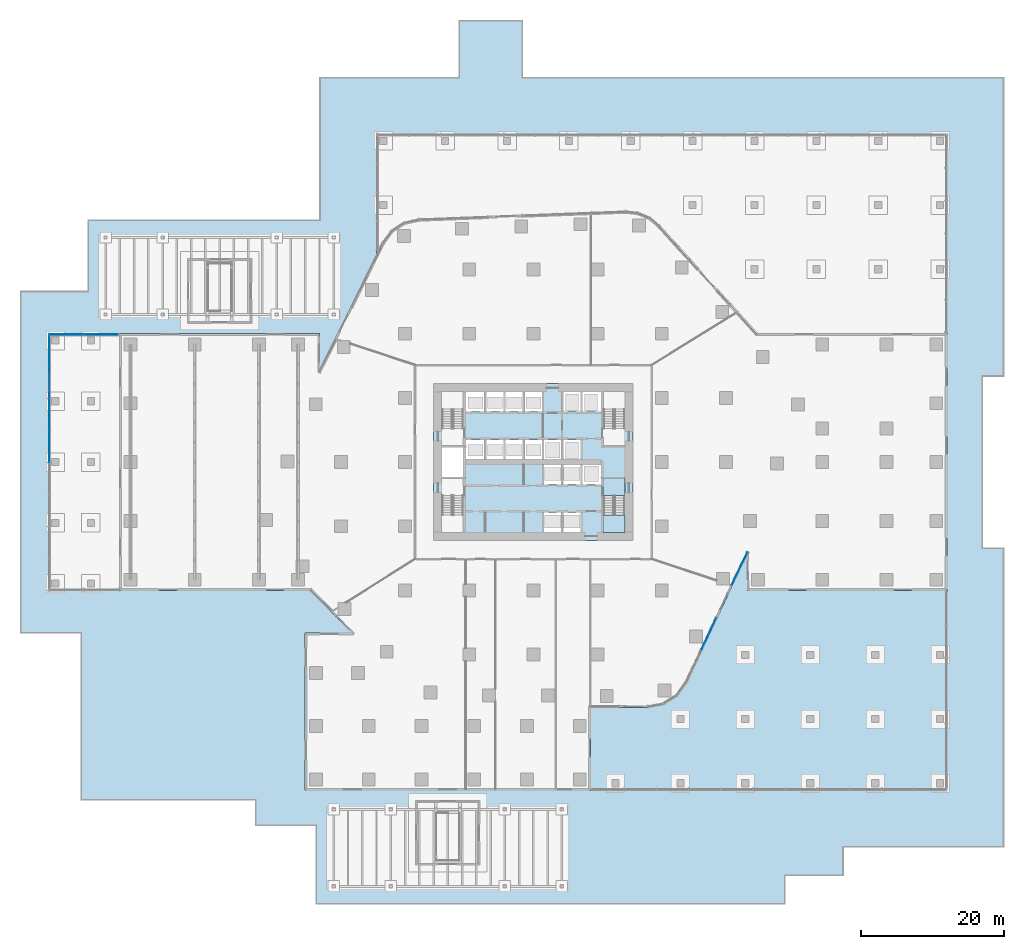
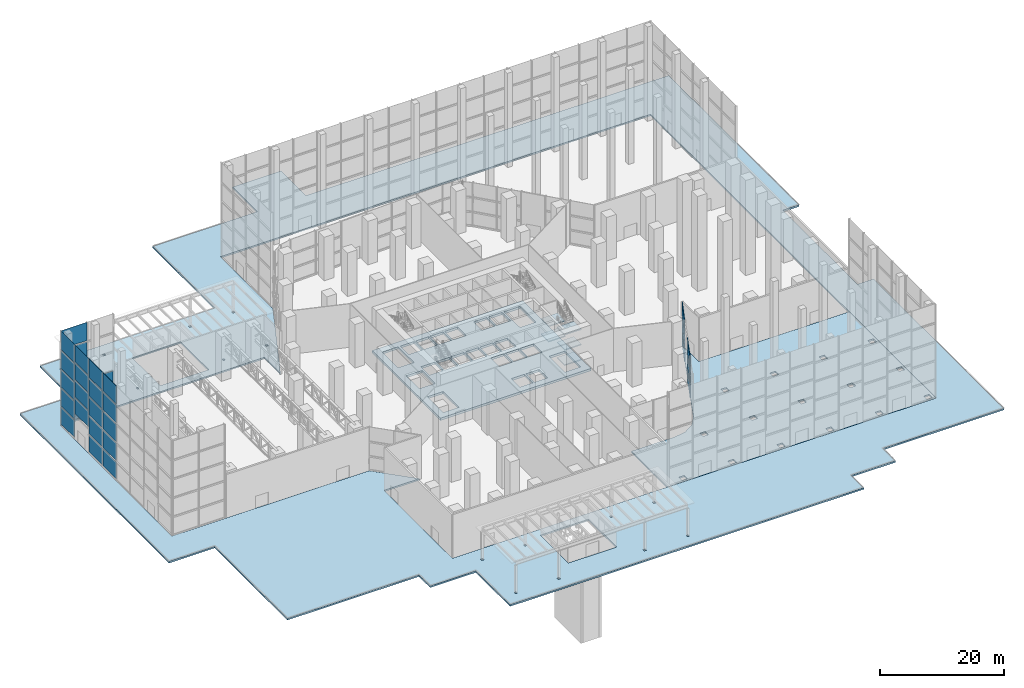
# One storey, part 23 of 40: 32 plates, 8 slabs, 7 elements without a shape of their own.
"""IFC4 building model written with IfcOpenShell, lengths in metres."""

from ifc_helpers import new_model, si_unit, direction, frame, origin, origin_2d, place, context, subcontext, project, spatial, polyline, rectangle, outline, extrude, material, layer, layer_set, type_object, element, aggregate, save


model = new_model("IFC4")

# Units and contexts
model_context = context("Model", 3, precision=1e-05, world=origin(), true_north=direction((0.0, 1.0)))
body_context = subcontext(model_context, "Body", "Model", "MODEL_VIEW")
ifc_project = project(units=[si_unit("LENGTHUNIT", "METRE"), si_unit("AREAUNIT", "SQUARE_METRE"), si_unit("VOLUMEUNIT", "CUBIC_METRE"), si_unit("PLANEANGLEUNIT", "RADIAN"), si_unit("MASSUNIT", "GRAM", prefix="KILO")], contexts=[model_context])

# Site, building, storey
site_placement = place(None, origin())
site = spatial("IfcSite", under=ifc_project, at=site_placement, CompositionType="ELEMENT")
building_placement = place(site_placement, origin())
building = spatial("IfcBuilding", under=site, at=building_placement, Name="Dongbaek Canopy Tower", CompositionType="ELEMENT")
storey_placement = place(building_placement, origin())
storey = spatial("IfcBuildingStorey", under=building, at=storey_placement, Name="L00", CompositionType="ELEMENT", Elevation=0.0)

# Curtain wall, plates
ifc_material_1 = material(Name="Aluminium 6063-T6 pale anodised", Category="aluminium")
ifc_layer_1 = layer(ifc_material_1, 0.39990234375)
ifc_layer_set_1 = layer_set([ifc_layer_1], Name="CW-3 lobby double-height curtain wall")
curtain_wall_type = type_object("IfcCurtainWallType", Name="CW-3 lobby double-height curtain wall", PredefinedType="NOTDEFINED", material=ifc_layer_set_1)
curtain_wall_1_placement = place(storey_placement, origin())
curtain_wall_1 = element("IfcCurtainWall", 1, at=curtain_wall_1_placement, inside=storey, type_object=curtain_wall_type, Name="CW-3 curtain wall F0.1", PredefinedType="NOTDEFINED")
ifc_material_2 = material(Name="Clear laminated glass", Category="glass")
ifc_layer_2 = layer(ifc_material_2, 0.0439453125)
ifc_layer_set_2 = layer_set([ifc_layer_2], Name="CW-3 glazed panel 44")
plate_type = type_object("IfcPlateType", Name="CW-3 glazed panel 44", PredefinedType="CURTAIN_PANEL", material=ifc_layer_set_2)
plate_1_placement = place(storey_placement, frame((24.600830078125, -24.117431640625, 0.25), z_axis=(0.0, 0.0, 1.0), x_axis=(0.42412285893, 0.905604660176, 0.0)))
plate_1 = element("IfcPlate", 2, at=plate_1_placement, type_object=plate_type, Name="CW-3 panel F0.1.2.1", PredefinedType="CURTAIN_PANEL", context=body_context, shape_type="SweptSolid", body=[
    extrude(rectangle(XDim=4.882568359375, YDim=0.0439453125, at=origin_2d()), origin(), (0.0, 0.0, 1.0), 2.47509765625),
])
plate_2_placement = place(storey_placement, frame((24.600830078125, -24.117431640625, 2.974853515625), z_axis=(0.0, 0.0, 1.0), x_axis=(0.42412285893, 0.905604660176, 0.0)))
plate_2 = element("IfcPlate", 3, at=plate_2_placement, type_object=plate_type, Name="CW-3 panel F0.1.2.2", PredefinedType="CURTAIN_PANEL", context=body_context, shape_type="SweptSolid", body=[
    extrude(rectangle(XDim=4.882568359375, YDim=0.0439453125, at=origin_2d()), origin(), (0.0, 0.0, 1.0), 2.60009765625),
])
plate_3_placement = place(storey_placement, frame((24.600830078125, -24.117431640625, 5.824951171875), z_axis=(0.0, 0.0, 1.0), x_axis=(0.42412285893, 0.905604660176, 0.0)))
plate_3 = element("IfcPlate", 4, at=plate_3_placement, type_object=plate_type, Name="CW-3 panel F0.1.2.3", PredefinedType="CURTAIN_PANEL", context=body_context, shape_type="SweptSolid", body=[
    extrude(rectangle(XDim=4.882568359375, YDim=0.0439453125, at=origin_2d()), origin(), (0.0, 0.0, 1.0), 2.72509765625),
])
aggregate(curtain_wall_1, [plate_1, plate_2, plate_3])

curtain_wall_2_placement = place(storey_placement, origin())
curtain_wall_2 = element("IfcCurtainWall", 5, at=curtain_wall_2_placement, inside=storey, type_object=curtain_wall_type, Name="CW-3 curtain wall F0.2", PredefinedType="NOTDEFINED")
plate_4_placement = place(storey_placement, frame((28.914794921875, -14.97265625, 0.25), z_axis=(0.0, 0.0, 1.0), x_axis=(0.433942044682, 0.900940787098, 0.0)))
plate_4 = element("IfcPlate", 6, at=plate_4_placement, type_object=plate_type, Name="CW-3 panel F0.2.1.1", PredefinedType="CURTAIN_PANEL", context=body_context, shape_type="SweptSolid", body=[
    extrude(rectangle(XDim=5.078125, YDim=0.0439453125, at=origin_2d()), origin(), (0.0, 0.0, 1.0), 2.47509765625),
])
plate_5_placement = place(storey_placement, frame((28.914794921875, -14.97265625, 2.974853515625), z_axis=(0.0, 0.0, 1.0), x_axis=(0.433942044682, 0.900940787098, 0.0)))
plate_5 = element("IfcPlate", 7, at=plate_5_placement, type_object=plate_type, Name="CW-3 panel F0.2.1.2", PredefinedType="CURTAIN_PANEL", context=body_context, shape_type="SweptSolid", body=[
    extrude(rectangle(XDim=5.078125, YDim=0.0439453125, at=origin_2d()), origin(), (0.0, 0.0, 1.0), 2.60009765625),
])
plate_6_placement = place(storey_placement, frame((28.914794921875, -14.97265625, 5.824951171875), z_axis=(0.0, 0.0, 1.0), x_axis=(0.433942044682, 0.900940787098, 0.0)))
plate_6 = element("IfcPlate", 8, at=plate_6_placement, type_object=plate_type, Name="CW-3 panel F0.2.1.3", PredefinedType="CURTAIN_PANEL", context=body_context, shape_type="SweptSolid", body=[
    extrude(rectangle(XDim=5.078125, YDim=0.0439453125, at=origin_2d()), origin(), (0.0, 0.0, 1.0), 2.72509765625),
])
aggregate(curtain_wall_2, [plate_4, plate_5, plate_6])

curtain_wall_3_placement = place(storey_placement, origin())
curtain_wall_3 = element("IfcCurtainWall", 9, at=curtain_wall_3_placement, inside=storey, type_object=curtain_wall_type, Name="CW-3 curtain wall HWN.1", PredefinedType="NOTDEFINED")
plate_7_placement = place(storey_placement, frame((-60.625, 17.89990234375, 0.25), z_axis=(0.0, 0.0, 1.0), x_axis=(-1.0, 0.0, 0.0)))
plate_7 = element("IfcPlate", 10, at=plate_7_placement, type_object=plate_type, Name="CW-3 panel HWN.1.1.1", PredefinedType="CURTAIN_PANEL", context=body_context, shape_type="SweptSolid", body=[
    extrude(rectangle(XDim=4.72607421875, YDim=0.0439453125, at=origin_2d()), origin(), (0.0, 0.0, 1.0), 3.3349609375),
])
plate_8_placement = place(storey_placement, frame((-60.625, 17.89990234375, 3.8349609375), z_axis=(0.0, 0.0, 1.0), x_axis=(-1.0, 0.0, 0.0)))
plate_8 = element("IfcPlate", 11, at=plate_8_placement, type_object=plate_type, Name="CW-3 panel HWN.1.1.2", PredefinedType="CURTAIN_PANEL", context=body_context, shape_type="SweptSolid", body=[
    extrude(rectangle(XDim=4.72607421875, YDim=0.0439453125, at=origin_2d()), origin(), (0.0, 0.0, 1.0), 3.4599609375),
])
plate_9_placement = place(storey_placement, frame((-65.47509765625, 17.89990234375, 0.25), z_axis=(0.0, 0.0, 1.0), x_axis=(-1.0, 0.0, 0.0)))
plate_9 = element("IfcPlate", 12, at=plate_9_placement, type_object=plate_type, Name="CW-3 panel HWN.1.2.1", PredefinedType="CURTAIN_PANEL", context=body_context, shape_type="SweptSolid", body=[
    extrude(rectangle(XDim=4.72607421875, YDim=0.0439453125, at=origin_2d()), origin(), (0.0, 0.0, 1.0), 3.3349609375),
])
plate_10_placement = place(storey_placement, frame((-65.47509765625, 17.89990234375, 3.8349609375), z_axis=(0.0, 0.0, 1.0), x_axis=(-1.0, 0.0, 0.0)))
plate_10 = element("IfcPlate", 13, at=plate_10_placement, type_object=plate_type, Name="CW-3 panel HWN.1.2.2", PredefinedType="CURTAIN_PANEL", context=body_context, shape_type="SweptSolid", body=[
    extrude(rectangle(XDim=4.72607421875, YDim=0.0439453125, at=origin_2d()), origin(), (0.0, 0.0, 1.0), 3.4599609375),
])
plate_11_placement = place(storey_placement, frame((-65.47509765625, 17.89990234375, 7.544921875), z_axis=(0.0, 0.0, 1.0), x_axis=(-1.0, 0.0, 0.0)))
plate_11 = element("IfcPlate", 14, at=plate_11_placement, type_object=plate_type, Name="CW-3 panel HWN.1.2.3", PredefinedType="CURTAIN_PANEL", context=body_context, shape_type="SweptSolid", body=[
    extrude(rectangle(XDim=4.72607421875, YDim=0.0439453125, at=origin_2d()), origin(), (0.0, 0.0, 1.0), 3.4599609375),
])
plate_12_placement = place(storey_placement, frame((-65.47509765625, 17.89990234375, 11.255126953125), z_axis=(0.0, 0.0, 1.0), x_axis=(-1.0, 0.0, 0.0)))
plate_12 = element("IfcPlate", 15, at=plate_12_placement, type_object=plate_type, Name="CW-3 panel HWN.1.2.4", PredefinedType="CURTAIN_PANEL", context=body_context, shape_type="SweptSolid", body=[
    extrude(rectangle(XDim=4.72607421875, YDim=0.0439453125, at=origin_2d()), origin(), (0.0, 0.0, 1.0), 3.4599609375),
])
plate_13_placement = place(storey_placement, frame((-65.47509765625, 17.89990234375, 14.965087890625), z_axis=(0.0, 0.0, 1.0), x_axis=(-1.0, 0.0, 0.0)))
plate_13 = element("IfcPlate", 16, at=plate_13_placement, type_object=plate_type, Name="CW-3 panel HWN.1.2.5", PredefinedType="CURTAIN_PANEL", context=body_context, shape_type="SweptSolid", body=[
    extrude(rectangle(XDim=4.72607421875, YDim=0.0439453125, at=origin_2d()), origin(), (0.0, 0.0, 1.0), 3.5849609375),
])
aggregate(curtain_wall_3, [plate_7, plate_8, plate_9, plate_10, plate_11, plate_12, plate_13])

curtain_wall_4_placement = place(storey_placement, origin())
curtain_wall_4 = element("IfcCurtainWall", 17, at=curtain_wall_4_placement, inside=storey, type_object=curtain_wall_type, Name="CW-3 curtain wall HWW.1", PredefinedType="NOTDEFINED")
plate_14_placement = place(storey_placement, frame((-67.89990234375, 15.65625, 0.25), z_axis=(0.0, 0.0, 1.0), x_axis=(0.0, -1.0, 0.0)))
plate_14 = element("IfcPlate", 18, at=plate_14_placement, type_object=plate_type, Name="CW-3 panel HWW.1.1.1", PredefinedType="CURTAIN_PANEL", context=body_context, shape_type="SweptSolid", body=[
    extrude(rectangle(XDim=4.363525390625, YDim=0.0439453125, at=origin_2d()), origin(), (0.0, 0.0, 1.0), 3.3349609375),
])
plate_15_placement = place(storey_placement, frame((-67.89990234375, 15.65625, 3.8349609375), z_axis=(0.0, 0.0, 1.0), x_axis=(0.0, -1.0, 0.0)))
plate_15 = element("IfcPlate", 19, at=plate_15_placement, type_object=plate_type, Name="CW-3 panel HWW.1.1.2", PredefinedType="CURTAIN_PANEL", context=body_context, shape_type="SweptSolid", body=[
    extrude(rectangle(XDim=4.363525390625, YDim=0.0439453125, at=origin_2d()), origin(), (0.0, 0.0, 1.0), 3.4599609375),
])
plate_16_placement = place(storey_placement, frame((-67.89990234375, 15.65625, 7.544921875), z_axis=(0.0, 0.0, 1.0), x_axis=(0.0, -1.0, 0.0)))
plate_16 = element("IfcPlate", 20, at=plate_16_placement, type_object=plate_type, Name="CW-3 panel HWW.1.1.3", PredefinedType="CURTAIN_PANEL", context=body_context, shape_type="SweptSolid", body=[
    extrude(rectangle(XDim=4.363525390625, YDim=0.0439453125, at=origin_2d()), origin(), (0.0, 0.0, 1.0), 3.4599609375),
])
plate_17_placement = place(storey_placement, frame((-67.89990234375, 15.65625, 11.255126953125), z_axis=(0.0, 0.0, 1.0), x_axis=(0.0, -1.0, 0.0)))
plate_17 = element("IfcPlate", 21, at=plate_17_placement, type_object=plate_type, Name="CW-3 panel HWW.1.1.4", PredefinedType="CURTAIN_PANEL", context=body_context, shape_type="SweptSolid", body=[
    extrude(rectangle(XDim=4.363525390625, YDim=0.0439453125, at=origin_2d()), origin(), (0.0, 0.0, 1.0), 3.4599609375),
])
plate_18_placement = place(storey_placement, frame((-67.89990234375, 15.65625, 14.965087890625), z_axis=(0.0, 0.0, 1.0), x_axis=(0.0, -1.0, 0.0)))
plate_18 = element("IfcPlate", 22, at=plate_18_placement, type_object=plate_type, Name="CW-3 panel HWW.1.1.5", PredefinedType="CURTAIN_PANEL", context=body_context, shape_type="SweptSolid", body=[
    extrude(rectangle(XDim=4.363525390625, YDim=0.0439453125, at=origin_2d()), origin(), (0.0, 0.0, 1.0), 3.5849609375),
])
aggregate(curtain_wall_4, [plate_14, plate_15, plate_16, plate_17, plate_18])

curtain_wall_5_placement = place(storey_placement, origin())
curtain_wall_5 = element("IfcCurtainWall", 23, at=curtain_wall_5_placement, inside=storey, type_object=curtain_wall_type, Name="CW-3 curtain wall HWW.2U", PredefinedType="NOTDEFINED")
plate_19_placement = place(storey_placement, frame((-67.89990234375, 11.168701171875, 5.050048828125), z_axis=(0.0, 0.0, 1.0), x_axis=(0.0, -1.0, 0.0)))
plate_19 = element("IfcPlate", 24, at=plate_19_placement, type_object=plate_type, Name="CW-3 panel HWW.2U.1.1", PredefinedType="CURTAIN_PANEL", context=body_context, shape_type="SweptSolid", body=[
    extrude(rectangle(XDim=4.363525390625, YDim=0.0439453125, at=origin_2d()), origin(), (0.0, 0.0, 1.0), 3.0625),
])
plate_20_placement = place(storey_placement, frame((-67.89990234375, 11.168701171875, 8.362548828125), z_axis=(0.0, 0.0, 1.0), x_axis=(0.0, -1.0, 0.0)))
plate_20 = element("IfcPlate", 25, at=plate_20_placement, type_object=plate_type, Name="CW-3 panel HWW.2U.1.2", PredefinedType="CURTAIN_PANEL", context=body_context, shape_type="SweptSolid", body=[
    extrude(rectangle(XDim=4.363525390625, YDim=0.0439453125, at=origin_2d()), origin(), (0.0, 0.0, 1.0), 3.1875),
])
plate_21_placement = place(storey_placement, frame((-67.89990234375, 11.168701171875, 11.800048828125), z_axis=(0.0, 0.0, 1.0), x_axis=(0.0, -1.0, 0.0)))
plate_21 = element("IfcPlate", 26, at=plate_21_placement, type_object=plate_type, Name="CW-3 panel HWW.2U.1.3", PredefinedType="CURTAIN_PANEL", context=body_context, shape_type="SweptSolid", body=[
    extrude(rectangle(XDim=4.363525390625, YDim=0.0439453125, at=origin_2d()), origin(), (0.0, 0.0, 1.0), 3.1875),
])
plate_22_placement = place(storey_placement, frame((-67.89990234375, 11.168701171875, 15.237548828125), z_axis=(0.0, 0.0, 1.0), x_axis=(0.0, -1.0, 0.0)))
plate_22 = element("IfcPlate", 27, at=plate_22_placement, type_object=plate_type, Name="CW-3 panel HWW.2U.1.4", PredefinedType="CURTAIN_PANEL", context=body_context, shape_type="SweptSolid", body=[
    extrude(rectangle(XDim=4.363525390625, YDim=0.0439453125, at=origin_2d()), origin(), (0.0, 0.0, 1.0), 3.3125),
])
aggregate(curtain_wall_5, [plate_19, plate_20, plate_21, plate_22])

curtain_wall_6_placement = place(storey_placement, origin())
curtain_wall_6 = element("IfcCurtainWall", 28, at=curtain_wall_6_placement, inside=storey, type_object=curtain_wall_type, Name="CW-3 curtain wall HWW.2", PredefinedType="NOTDEFINED")
plate_23_placement = place(storey_placement, frame((-67.89990234375, 6.68115234375, 0.25), z_axis=(0.0, 0.0, 1.0), x_axis=(0.0, -1.0, 0.0)))
plate_23 = element("IfcPlate", 29, at=plate_23_placement, type_object=plate_type, Name="CW-3 panel HWW.2.1.1", PredefinedType="CURTAIN_PANEL", context=body_context, shape_type="SweptSolid", body=[
    extrude(rectangle(XDim=4.363525390625, YDim=0.0439453125, at=origin_2d()), origin(), (0.0, 0.0, 1.0), 3.3349609375),
])
plate_24_placement = place(storey_placement, frame((-67.89990234375, 6.68115234375, 3.8349609375), z_axis=(0.0, 0.0, 1.0), x_axis=(0.0, -1.0, 0.0)))
plate_24 = element("IfcPlate", 30, at=plate_24_placement, type_object=plate_type, Name="CW-3 panel HWW.2.1.2", PredefinedType="CURTAIN_PANEL", context=body_context, shape_type="SweptSolid", body=[
    extrude(rectangle(XDim=4.363525390625, YDim=0.0439453125, at=origin_2d()), origin(), (0.0, 0.0, 1.0), 3.4599609375),
])
plate_25_placement = place(storey_placement, frame((-67.89990234375, 6.68115234375, 7.544921875), z_axis=(0.0, 0.0, 1.0), x_axis=(0.0, -1.0, 0.0)))
plate_25 = element("IfcPlate", 31, at=plate_25_placement, type_object=plate_type, Name="CW-3 panel HWW.2.1.3", PredefinedType="CURTAIN_PANEL", context=body_context, shape_type="SweptSolid", body=[
    extrude(rectangle(XDim=4.363525390625, YDim=0.0439453125, at=origin_2d()), origin(), (0.0, 0.0, 1.0), 3.4599609375),
])
plate_26_placement = place(storey_placement, frame((-67.89990234375, 6.68115234375, 11.255126953125), z_axis=(0.0, 0.0, 1.0), x_axis=(0.0, -1.0, 0.0)))
plate_26 = element("IfcPlate", 32, at=plate_26_placement, type_object=plate_type, Name="CW-3 panel HWW.2.1.4", PredefinedType="CURTAIN_PANEL", context=body_context, shape_type="SweptSolid", body=[
    extrude(rectangle(XDim=4.363525390625, YDim=0.0439453125, at=origin_2d()), origin(), (0.0, 0.0, 1.0), 3.4599609375),
])
plate_27_placement = place(storey_placement, frame((-67.89990234375, 6.68115234375, 14.965087890625), z_axis=(0.0, 0.0, 1.0), x_axis=(0.0, -1.0, 0.0)))
plate_27 = element("IfcPlate", 33, at=plate_27_placement, type_object=plate_type, Name="CW-3 panel HWW.2.1.5", PredefinedType="CURTAIN_PANEL", context=body_context, shape_type="SweptSolid", body=[
    extrude(rectangle(XDim=4.363525390625, YDim=0.0439453125, at=origin_2d()), origin(), (0.0, 0.0, 1.0), 3.5849609375),
])
plate_28_placement = place(storey_placement, frame((-67.89990234375, 2.19384765625, 0.25), z_axis=(0.0, 0.0, 1.0), x_axis=(0.0, -1.0, 0.0)))
plate_28 = element("IfcPlate", 34, at=plate_28_placement, type_object=plate_type, Name="CW-3 panel HWW.2.2.1", PredefinedType="CURTAIN_PANEL", context=body_context, shape_type="SweptSolid", body=[
    extrude(rectangle(XDim=4.363525390625, YDim=0.0439453125, at=origin_2d()), origin(), (0.0, 0.0, 1.0), 3.3349609375),
])
plate_29_placement = place(storey_placement, frame((-67.89990234375, 2.19384765625, 3.8349609375), z_axis=(0.0, 0.0, 1.0), x_axis=(0.0, -1.0, 0.0)))
plate_29 = element("IfcPlate", 35, at=plate_29_placement, type_object=plate_type, Name="CW-3 panel HWW.2.2.2", PredefinedType="CURTAIN_PANEL", context=body_context, shape_type="SweptSolid", body=[
    extrude(rectangle(XDim=4.363525390625, YDim=0.0439453125, at=origin_2d()), origin(), (0.0, 0.0, 1.0), 3.4599609375),
])
plate_30_placement = place(storey_placement, frame((-67.89990234375, 2.19384765625, 7.544921875), z_axis=(0.0, 0.0, 1.0), x_axis=(0.0, -1.0, 0.0)))
plate_30 = element("IfcPlate", 36, at=plate_30_placement, type_object=plate_type, Name="CW-3 panel HWW.2.2.3", PredefinedType="CURTAIN_PANEL", context=body_context, shape_type="SweptSolid", body=[
    extrude(rectangle(XDim=4.363525390625, YDim=0.0439453125, at=origin_2d()), origin(), (0.0, 0.0, 1.0), 3.4599609375),
])
plate_31_placement = place(storey_placement, frame((-67.89990234375, 2.19384765625, 11.255126953125), z_axis=(0.0, 0.0, 1.0), x_axis=(0.0, -1.0, 0.0)))
plate_31 = element("IfcPlate", 37, at=plate_31_placement, type_object=plate_type, Name="CW-3 panel HWW.2.2.4", PredefinedType="CURTAIN_PANEL", context=body_context, shape_type="SweptSolid", body=[
    extrude(rectangle(XDim=4.363525390625, YDim=0.0439453125, at=origin_2d()), origin(), (0.0, 0.0, 1.0), 3.4599609375),
])
plate_32_placement = place(storey_placement, frame((-67.89990234375, 2.19384765625, 14.965087890625), z_axis=(0.0, 0.0, 1.0), x_axis=(0.0, -1.0, 0.0)))
plate_32 = element("IfcPlate", 38, at=plate_32_placement, type_object=plate_type, Name="CW-3 panel HWW.2.2.5", PredefinedType="CURTAIN_PANEL", context=body_context, shape_type="SweptSolid", body=[
    extrude(rectangle(XDim=4.363525390625, YDim=0.0439453125, at=origin_2d()), origin(), (0.0, 0.0, 1.0), 3.5849609375),
])
aggregate(curtain_wall_6, [plate_23, plate_24, plate_25, plate_26, plate_27, plate_28, plate_29, plate_30, plate_31, plate_32])

# Slab
ifc_material_3 = material(Name="Concrete C40/50", Category="concrete")
ifc_layer_3 = layer(ifc_material_3, 0.449951171875)
ifc_layer_set_3 = layer_set([ifc_layer_3], Name="Core floor slab 450 Concrete C40/50")
slab_type_1 = type_object("IfcSlabType", Name="Core floor slab 450 Concrete C40/50", PredefinedType="FLOOR", material=ifc_layer_set_3)
slab_1_placement = place(storey_placement, frame((0.0, 0.0, -0.449951171875)))
element("IfcSlab", 39, at=slab_1_placement, inside=storey, type_object=slab_type_1, Name="Core floor slab L00", PredefinedType="FLOOR", context=body_context, shape_type="SweptSolid", body=[
    extrude(outline(polyline([(14.0, -11.0), (14.0, 11.0), (-14.0, 11.0), (-14.0, -11.0), (14.0, -11.0)]), holes=[polyline([(-12.800048828125, 2.10009765625), (-9.85009765625, 2.10009765625), (-9.85009765625, -2.10009765625), (-12.800048828125, -2.10009765625), (-12.800048828125, 2.10009765625)]), polyline([(-6.875, 9.800048828125), (-6.875, 7.074951171875), (-9.449951171875, 7.074951171875), (-9.449951171875, 9.800048828125), (-6.875, 9.800048828125)]), polyline([(-4.175048828125, 9.800048828125), (-4.175048828125, 7.074951171875), (-6.625, 7.074951171875), (-6.625, 9.800048828125), (-4.175048828125, 9.800048828125)]), polyline([(-1.47509765625, 9.800048828125), (-1.47509765625, 7.074951171875), (-3.925048828125, 7.074951171875), (-3.925048828125, 9.800048828125), (-1.47509765625, 9.800048828125)]), polyline([(1.22509765625, 9.800048828125), (1.22509765625, 7.074951171875), (-1.22509765625, 7.074951171875), (-1.22509765625, 9.800048828125), (1.22509765625, 9.800048828125)]), polyline([(6.625, 9.800048828125), (6.625, 7.074951171875), (4.175048828125, 7.074951171875), (4.175048828125, 9.800048828125), (6.625, 9.800048828125)]), polyline([(9.449951171875, 7.074951171875), (6.875, 7.074951171875), (6.875, 9.800048828125), (9.449951171875, 9.800048828125), (9.449951171875, 7.074951171875)]), polyline([(-9.449951171875, 3.125), (-6.875, 3.125), (-6.875, 0.39990234375), (-9.449951171875, 0.39990234375), (-9.449951171875, 3.125)]), polyline([(-6.625, 3.125), (-4.175048828125, 3.125), (-4.175048828125, 0.39990234375), (-6.625, 0.39990234375), (-6.625, 3.125)]), polyline([(-3.925048828125, 3.125), (-1.47509765625, 3.125), (-1.47509765625, 0.39990234375), (-3.925048828125, 0.39990234375), (-3.925048828125, 3.125)]), polyline([(-1.22509765625, 3.125), (1.22509765625, 3.125), (1.22509765625, 0.39990234375), (-1.22509765625, 0.39990234375), (-1.22509765625, 3.125)]), polyline([(1.47509765625, 0.39990234375), (1.47509765625, 3.125), (3.925048828125, 3.125), (3.925048828125, 0.39990234375), (1.47509765625, 0.39990234375)]), polyline([(4.175048828125, 0.39990234375), (4.175048828125, 3.125), (6.625, 3.125), (6.625, 0.39990234375), (4.175048828125, 0.39990234375)]), polyline([(3.925048828125, -0.39990234375), (3.925048828125, -3.125), (1.47509765625, -3.125), (1.47509765625, -0.39990234375), (3.925048828125, -0.39990234375)]), polyline([(6.625, -0.39990234375), (6.625, -3.125), (4.175048828125, -3.125), (4.175048828125, -0.39990234375), (6.625, -0.39990234375)]), polyline([(9.449951171875, -3.125), (6.875, -3.125), (6.875, -0.39990234375), (9.449951171875, -0.39990234375), (9.449951171875, -3.125)]), polyline([(1.47509765625, -9.800048828125), (1.47509765625, -7.074951171875), (3.925048828125, -7.074951171875), (3.925048828125, -9.800048828125), (1.47509765625, -9.800048828125)]), polyline([(4.175048828125, -9.800048828125), (4.175048828125, -7.074951171875), (6.625, -7.074951171875), (6.625, -9.800048828125), (4.175048828125, -9.800048828125)]), polyline([(12.800048828125, 4.70068359375), (12.800048828125, 9.800048828125), (9.85009765625, 9.800048828125), (9.85009765625, 4.70068359375), (12.800048828125, 4.70068359375)]), polyline([(-9.85009765625, 4.70068359375), (-9.85009765625, 9.800048828125), (-12.800048828125, 9.800048828125), (-12.800048828125, 4.70068359375), (-9.85009765625, 4.70068359375)]), polyline([(9.85009765625, -4.70068359375), (9.85009765625, -9.800048828125), (12.800048828125, -9.800048828125), (12.800048828125, -4.70068359375), (9.85009765625, -4.70068359375)]), polyline([(-12.800048828125, -4.70068359375), (-12.800048828125, -9.800048828125), (-9.85009765625, -9.800048828125), (-9.85009765625, -4.70068359375), (-12.800048828125, -4.70068359375)])]), origin(), (0.0, 0.0, 1.0), 0.449951171875),
])

# Stair, slabs
ifc_material_4 = material(Name="Concrete C40/50", Category="concrete")
stair_type = type_object("IfcStairType", Name="Core exit stair", PredefinedType="HALF_TURN_STAIR", material=ifc_material_4)
stair_placement = place(storey_placement, origin())
stair = element("IfcStair", 40, at=stair_placement, inside=storey, type_object=stair_type, Name="L00 exit stair B", PredefinedType="HALF_TURN_STAIR")
ifc_material_5 = material(Name="Concrete C40/50", Category="concrete")
ifc_layer_4 = layer(ifc_material_5, 0.199951171875)
ifc_layer_set_4 = layer_set([ifc_layer_4], Name="Core stair landing 200")
slab_type_2 = type_object("IfcSlabType", Name="Core stair landing 200", PredefinedType="LANDING", material=ifc_layer_set_4)
slab_2_placement = place(storey_placement, frame((0.0, 0.0, 1.300048828125)))
slab_2 = element("IfcSlab", 41, at=slab_2_placement, type_object=slab_type_2, Name="ST-B landing 1", PredefinedType="LANDING", context=body_context, shape_type="SweptSolid", body=[
    extrude(outline(polyline([(9.77490234375, -7.419921875), (9.77490234375, -9.875), (12.875, -9.875), (12.875, -7.419921875), (9.77490234375, -7.419921875)])), origin(), (0.0, 0.0, 1.0), 0.199951171875),
])
slab_3_placement = place(storey_placement, frame((0.0, 0.0, 2.800048828125)))
slab_3 = element("IfcSlab", 42, at=slab_3_placement, type_object=slab_type_2, Name="ST-B landing 2", PredefinedType="LANDING", context=body_context, shape_type="SweptSolid", body=[
    extrude(outline(polyline([(9.77490234375, -2.22509765625), (9.77490234375, -4.699951171875), (12.875, -4.699951171875), (12.875, -2.22509765625), (9.77490234375, -2.22509765625)])), origin(), (0.0, 0.0, 1.0), 0.199951171875),
])
slab_4_placement = place(storey_placement, frame((0.0, 0.0, 4.300048828125)))
slab_4 = element("IfcSlab", 43, at=slab_4_placement, type_object=slab_type_2, Name="ST-B landing 3", PredefinedType="LANDING", context=body_context, shape_type="SweptSolid", body=[
    extrude(outline(polyline([(9.77490234375, -7.419921875), (9.77490234375, -9.875), (12.875, -9.875), (12.875, -7.419921875), (9.77490234375, -7.419921875)])), origin(), (0.0, 0.0, 1.0), 0.199951171875),
])
slab_5_placement = place(storey_placement, frame((0.0, 0.0, 5.800048828125)))
slab_5 = element("IfcSlab", 44, at=slab_5_placement, type_object=slab_type_2, Name="ST-B landing 4", PredefinedType="LANDING", context=body_context, shape_type="SweptSolid", body=[
    extrude(outline(polyline([(9.77490234375, -2.22509765625), (9.77490234375, -4.699951171875), (12.875, -4.699951171875), (12.875, -2.22509765625), (9.77490234375, -2.22509765625)])), origin(), (0.0, 0.0, 1.0), 0.199951171875),
])
slab_6_placement = place(storey_placement, frame((0.0, 0.0, 7.300048828125)))
slab_6 = element("IfcSlab", 45, at=slab_6_placement, type_object=slab_type_2, Name="ST-B landing 5", PredefinedType="LANDING", context=body_context, shape_type="SweptSolid", body=[
    extrude(outline(polyline([(9.77490234375, -7.419921875), (9.77490234375, -9.875), (12.875, -9.875), (12.875, -7.419921875), (9.77490234375, -7.419921875)])), origin(), (0.0, 0.0, 1.0), 0.199951171875),
])
aggregate(stair, [slab_2, slab_3, slab_4, slab_5, slab_6])

# Slabs
ifc_material_6 = material(Name="Granite paving on concrete slab", Category="masonry")
ifc_layer_5 = layer(ifc_material_6, 0.300048828125)
ifc_layer_set_5 = layer_set([ifc_layer_5], Name="Hall floor slab 300")
slab_type_3 = type_object("IfcSlabType", Name="Hall floor slab 300", PredefinedType="FLOOR", material=ifc_layer_set_5)
slab_7_placement = place(storey_placement, frame((0.0, 0.0, -0.300048828125)))
element("IfcSlab", 46, at=slab_7_placement, inside=storey, type_object=slab_type_3, Name="Hall floor slab S1", PredefinedType="FLOOR", context=body_context, shape_type="SweptSolid", body=[
    extrude(outline(polyline([(8.0, -34.430419921875), (8.011474609375, -34.3984375), (8.05029296875, -34.38037109375), (16.044677734375, -34.416015625), (18.26806640625, -34.0), (20.1787109375, -32.791015625), (21.506103515625, -30.960693359375), (29.90478515625, -13.028076171875), (29.932373046875, -13.00244140625), (29.978515625, -13.008056640625), (30.0, -13.04931640625), (30.0, -18.0), (57.949951171875, -18.0), (57.99609375, -18.031005859375), (58.0, -45.949951171875), (57.968994140625, -45.99609375), (8.050048828125, -46.0), (8.018310546875, -45.98876953125), (8.0, -45.949951171875), (8.0, -34.430419921875)]), holes=[polyline([(11.0, -44.550048828125), (11.0, -45.550048828125), (12.0, -45.550048828125), (12.0, -44.550048828125), (11.0, -44.550048828125)]), polyline([(21.110107421875, -44.550048828125), (20.110107421875, -44.550048828125), (20.110107421875, -45.550048828125), (21.110107421875, -45.550048828125), (21.110107421875, -44.550048828125)]), polyline([(30.219970703125, -45.550048828125), (30.219970703125, -44.550048828125), (29.219970703125, -44.550048828125), (29.219970703125, -45.550048828125), (30.219970703125, -45.550048828125)]), polyline([(38.330078125, -45.550048828125), (39.330078125, -45.550048828125), (39.330078125, -44.550048828125), (38.330078125, -44.550048828125), (38.330078125, -45.550048828125)]), polyline([(47.43994140625, -44.550048828125), (47.43994140625, -45.550048828125), (48.43994140625, -45.550048828125), (48.43994140625, -44.550048828125), (47.43994140625, -44.550048828125)]), polyline([(57.550048828125, -44.550048828125), (56.550048828125, -44.550048828125), (56.550048828125, -45.550048828125), (57.550048828125, -45.550048828125), (57.550048828125, -44.550048828125)]), polyline([(21.110107421875, -36.550048828125), (21.110107421875, -35.550048828125), (20.110107421875, -35.550048828125), (20.110107421875, -36.550048828125), (21.110107421875, -36.550048828125)]), polyline([(29.219970703125, -36.550048828125), (30.219970703125, -36.550048828125), (30.219970703125, -35.550048828125), (29.219970703125, -35.550048828125), (29.219970703125, -36.550048828125)]), polyline([(38.330078125, -35.550048828125), (38.330078125, -36.550048828125), (39.330078125, -36.550048828125), (39.330078125, -35.550048828125), (38.330078125, -35.550048828125)]), polyline([(48.43994140625, -35.550048828125), (47.43994140625, -35.550048828125), (47.43994140625, -36.550048828125), (48.43994140625, -36.550048828125), (48.43994140625, -35.550048828125)]), polyline([(57.550048828125, -36.550048828125), (57.550048828125, -35.550048828125), (56.550048828125, -35.550048828125), (56.550048828125, -36.550048828125), (57.550048828125, -36.550048828125)]), polyline([(29.219970703125, -27.550048828125), (30.219970703125, -27.550048828125), (30.219970703125, -26.550048828125), (29.219970703125, -26.550048828125), (29.219970703125, -27.550048828125)]), polyline([(38.330078125, -26.550048828125), (38.330078125, -27.550048828125), (39.330078125, -27.550048828125), (39.330078125, -26.550048828125), (38.330078125, -26.550048828125)]), polyline([(48.43994140625, -26.550048828125), (47.43994140625, -26.550048828125), (47.43994140625, -27.550048828125), (48.43994140625, -27.550048828125), (48.43994140625, -26.550048828125)]), polyline([(57.550048828125, -27.550048828125), (57.550048828125, -26.550048828125), (56.550048828125, -26.550048828125), (56.550048828125, -27.550048828125), (57.550048828125, -27.550048828125)])]), origin(), (0.0, 0.0, 1.0), 0.300048828125),
])
ifc_material_7 = material(Name="Granite paving on screed", Category="masonry")
ifc_layer_6 = layer(ifc_material_7, 0.300048828125)
ifc_layer_set_6 = layer_set([ifc_layer_6], Name="Plaza paving 300")
slab_type_4 = type_object("IfcSlabType", Name="Plaza paving 300", PredefinedType="USERDEFINED", material=ifc_layer_set_6)
slab_8_placement = place(storey_placement, frame((0.0, 0.0, -0.300048828125)))
element("IfcSlab", 47, at=slab_8_placement, inside=storey, type_object=slab_type_4, Name="Plaza paving 1", ObjectType="PAVING", PredefinedType="USERDEFINED", context=body_context, shape_type="SweptSolid", body=[
    extrude(outline(polyline([(-30.5, -62.0), (-30.5, -51.0), (-39.0, -51.0), (-39.0, -47.39990234375), (-63.5, -47.39990234375), (-63.5, -24.0), (-72.0, -24.0), (-72.0, 24.0), (-62.5, 24.0), (-62.5, 34.0), (-30.0, 34.0), (-30.0, 54.0), (-10.5, 54.0), (-10.5, 62.0), (-1.5, 62.0), (-1.5, 54.0), (66.0, 54.0), (66.0, 12.0), (63.0, 12.0), (63.0, -12.0), (66.0, -12.0), (66.0, -54.0), (43.5, -54.0), (43.5, -58.0), (35.300048828125, -58.0), (35.300048828125, -62.0), (12.5, -62.0), (-30.5, -62.0)]), holes=[polyline([(-22.0, 29.283447265625), (-21.938720703125, 29.193115234375), (-30.0, 12.802734375), (-30.0, 18.0), (-58.050048828125, 18.0), (-67.964599609375, 17.997802734375), (-68.0, 17.949951171875), (-67.997802734375, -17.964599609375), (-67.949951171875, -18.0), (-31.291748046875, -18.0), (-25.382080078125, -24.0), (-32.0, -24.0), (-32.0, -46.0), (8.050048828125, -46.0), (8.050048828125, -46.0), (57.96923828125, -45.99609375), (58.0, -45.949951171875), (57.99609375, -18.0), (58.0, -18.0), (58.0, 18.0), (57.997802734375, 18.0), (58.0, 45.949951171875), (57.964599609375, 45.997802734375), (-21.949951171875, 46.0), (-21.9853515625, 45.9853515625), (-22.0, 45.949951171875), (-22.0, 29.283447265625)]), polyline([(-7.5, -47.5), (-16.5, -47.5), (-16.5, -56.5), (-7.5, -56.5), (-7.5, -47.5)]), polyline([(-39.5, 19.5), (-39.5, 28.5), (-48.5, 28.5), (-48.5, 19.5), (-39.5, 19.5)]), polyline([(-28.199951171875, -48.89990234375), (-27.800048828125, -48.89990234375), (-27.800048828125, -48.5), (-28.199951171875, -48.5), (-28.199951171875, -48.89990234375)]), polyline([(-28.199951171875, -59.300048828125), (-28.199951171875, -59.699951171875), (-27.800048828125, -59.699951171875), (-27.800048828125, -59.300048828125), (-28.199951171875, -59.300048828125)]), polyline([(-19.800048828125, -48.5), (-20.199951171875, -48.5), (-20.199951171875, -48.89990234375), (-19.800048828125, -48.89990234375), (-19.800048828125, -48.5)]), polyline([(-19.800048828125, -59.699951171875), (-19.800048828125, -59.300048828125), (-20.199951171875, -59.300048828125), (-20.199951171875, -59.699951171875), (-19.800048828125, -59.699951171875)]), polyline([(-4.199951171875, -48.89990234375), (-3.800048828125, -48.89990234375), (-3.800048828125, -48.5), (-4.199951171875, -48.5), (-4.199951171875, -48.89990234375)]), polyline([(-4.199951171875, -59.300048828125), (-4.199951171875, -59.699951171875), (-3.800048828125, -59.699951171875), (-3.800048828125, -59.300048828125), (-4.199951171875, -59.300048828125)]), polyline([(4.199951171875, -48.5), (3.800048828125, -48.5), (3.800048828125, -48.89990234375), (4.199951171875, -48.89990234375), (4.199951171875, -48.5)]), polyline([(4.199951171875, -59.699951171875), (4.199951171875, -59.300048828125), (3.800048828125, -59.300048828125), (3.800048828125, -59.699951171875), (4.199951171875, -59.699951171875)]), polyline([(-60.199951171875, 20.5), (-59.800048828125, 20.5), (-59.800048828125, 20.89990234375), (-60.199951171875, 20.89990234375), (-60.199951171875, 20.5)]), polyline([(-60.199951171875, 31.699951171875), (-60.199951171875, 31.300048828125), (-59.800048828125, 31.300048828125), (-59.800048828125, 31.699951171875), (-60.199951171875, 31.699951171875)]), polyline([(-51.800048828125, 20.89990234375), (-52.199951171875, 20.89990234375), (-52.199951171875, 20.5), (-51.800048828125, 20.5), (-51.800048828125, 20.89990234375)]), polyline([(-51.800048828125, 31.300048828125), (-51.800048828125, 31.699951171875), (-52.199951171875, 31.699951171875), (-52.199951171875, 31.300048828125), (-51.800048828125, 31.300048828125)]), polyline([(-36.199951171875, 20.5), (-35.800048828125, 20.5), (-35.800048828125, 20.89990234375), (-36.199951171875, 20.89990234375), (-36.199951171875, 20.5)]), polyline([(-36.199951171875, 31.699951171875), (-36.199951171875, 31.300048828125), (-35.800048828125, 31.300048828125), (-35.800048828125, 31.699951171875), (-36.199951171875, 31.699951171875)]), polyline([(-27.800048828125, 20.89990234375), (-28.199951171875, 20.89990234375), (-28.199951171875, 20.5), (-27.800048828125, 20.5), (-27.800048828125, 20.89990234375)]), polyline([(-27.800048828125, 31.300048828125), (-27.800048828125, 31.699951171875), (-28.199951171875, 31.699951171875), (-28.199951171875, 31.300048828125), (-27.800048828125, 31.300048828125)])]), origin(), (0.0, 0.0, 1.0), 0.300048828125),
])

save(model, "model.ifc")
